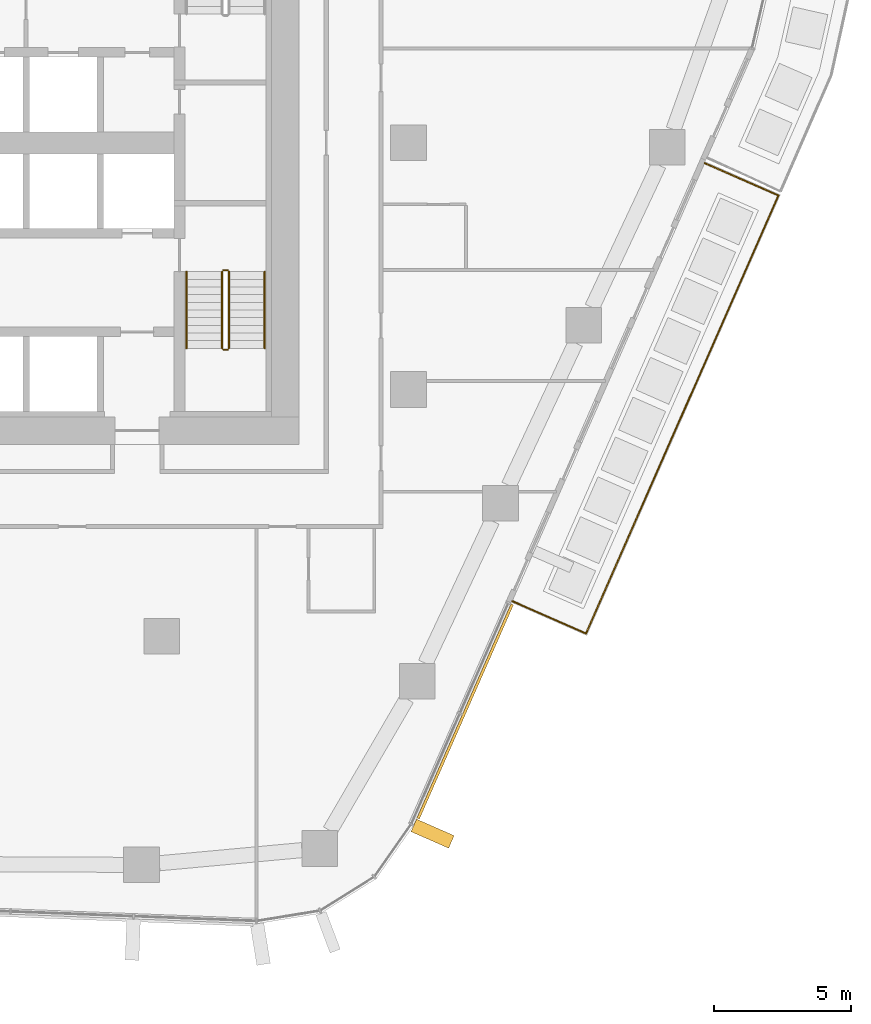
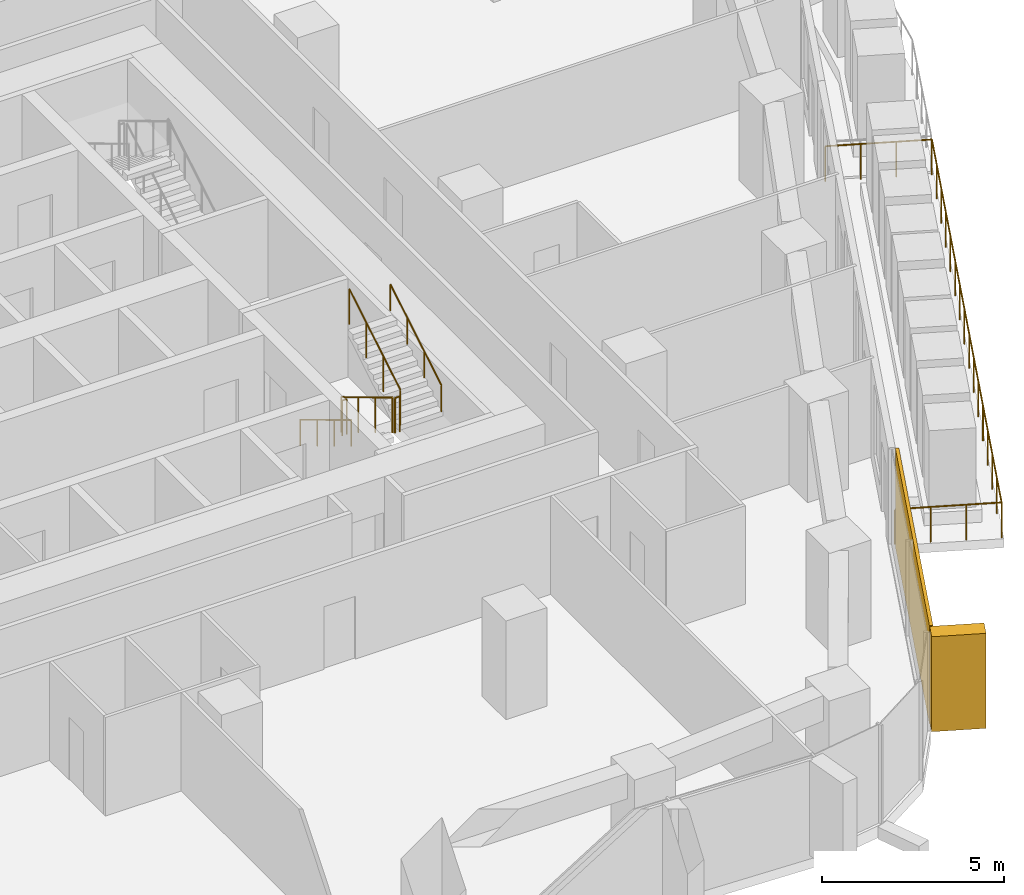
# One storey, part 20 of 23: 7 railings, 2 coverings, 1 element without a shape of its own.
"""IFC4 building model written with IfcOpenShell, lengths in metres."""

from ifc_helpers import new_model, si_unit, direction, frame, origin, origin_2d, place, context, subcontext, project, spatial, rectangle, circle, extrude, material, layer, layer_set, material_profile, profile_set, type_object, element, aggregate, save


model = new_model("IFC4")

# Units and contexts
model_context = context("Model", 3, precision=1e-05, world=origin(), true_north=direction((0.0, 1.0)))
body_context = subcontext(model_context, "Body", "Model", "MODEL_VIEW")
ifc_project = project(units=[si_unit("LENGTHUNIT", "METRE"), si_unit("AREAUNIT", "SQUARE_METRE"), si_unit("VOLUMEUNIT", "CUBIC_METRE"), si_unit("PLANEANGLEUNIT", "RADIAN"), si_unit("MASSUNIT", "GRAM", prefix="KILO")], contexts=[model_context])

# Site, building, storey
site_placement = place(None, origin())
site = spatial("IfcSite", under=ifc_project, at=site_placement, CompositionType="ELEMENT")
building_placement = place(site_placement, origin())
building = spatial("IfcBuilding", under=site, at=building_placement, Name="Dongbaek Canopy Tower", CompositionType="ELEMENT")
storey_placement = place(building_placement, frame((0.0, 0.0, 135.89990234375)))
storey = spatial("IfcBuildingStorey", under=building, at=storey_placement, Name="L30", CompositionType="ELEMENT", Elevation=135.89990234375)

# Railing
ifc_material_1 = material(Name="Stainless steel", Category="steel")
railing_type_1 = type_object("IfcRailingType", Name="Balcony balustrade 1200", PredefinedType="BALUSTRADE", material=ifc_material_1)
railing_1_placement = place(storey_placement, frame((21.7861328125, -16.722900390625, 0.0)))
element("IfcRailing", 1, at=railing_1_placement, inside=storey, type_object=railing_type_1, Name="Balcony guard L30 4", PredefinedType="BALUSTRADE", context=body_context, shape_type="SweptSolid", body=[
    extrude(circle(Radius=0.02392578125, at=origin_2d()), frame((0.0, 0.0, 1.17578125), z_axis=(0.915573195836, -0.402151368351, 0.0), x_axis=(0.402151368351, 0.915573195836, 0.0)), (0.0, 0.0, 1.0), 2.940185546875),
    extrude(circle(Radius=0.02392578125, at=origin_2d()), frame((2.69189453125, -1.182373046875, 1.17578125), z_axis=(0.40217565737, 0.915562526876, 0.0), x_axis=(-0.915562526876, 0.40217565737, 0.0)), (0.0, 0.0, 1.0), 17.45703125),
    extrude(circle(Radius=0.02392578125, at=origin_2d()), frame((9.712646484375, 14.800537109375, 1.17578125), z_axis=(-0.915573195836, 0.402151368351, 0.0), x_axis=(-0.402151368351, -0.915573195836, 0.0)), (0.0, 0.0, 1.0), 2.940185546875),
    extrude(circle(Radius=0.02099609375, at=origin_2d()), origin(), (0.0, 0.0, 1.0), 1.15185546875),
    extrude(circle(Radius=0.02099609375, at=origin_2d()), frame((0.897216796875, -0.39404296875, 0.0)), (0.0, 0.0, 1.0), 1.15185546875),
    extrude(circle(Radius=0.02099609375, at=origin_2d()), frame((1.794677734375, -0.788330078125, 0.0)), (0.0, 0.0, 1.0), 1.15185546875),
    extrude(circle(Radius=0.02099609375, at=origin_2d()), frame((2.69189453125, -1.182373046875, 0.0)), (0.0, 0.0, 1.0), 1.15185546875),
    extrude(circle(Radius=0.02099609375, at=origin_2d()), frame((3.159912109375, -0.116943359375, 0.0)), (0.0, 0.0, 1.0), 1.15185546875),
    extrude(circle(Radius=0.02099609375, at=origin_2d()), frame((3.6279296875, 0.94873046875, 0.0)), (0.0, 0.0, 1.0), 1.15185546875),
    extrude(circle(Radius=0.02099609375, at=origin_2d()), frame((4.095947265625, 2.01416015625, 0.0)), (0.0, 0.0, 1.0), 1.15185546875),
    extrude(circle(Radius=0.02099609375, at=origin_2d()), frame((4.564208984375, 3.079833984375, 0.0)), (0.0, 0.0, 1.0), 1.15185546875),
    extrude(circle(Radius=0.02099609375, at=origin_2d()), frame((5.0322265625, 4.145263671875, 0.0)), (0.0, 0.0, 1.0), 1.15185546875),
    extrude(circle(Radius=0.02099609375, at=origin_2d()), frame((5.500244140625, 5.210693359375, 0.0)), (0.0, 0.0, 1.0), 1.15185546875),
    extrude(circle(Radius=0.02099609375, at=origin_2d()), frame((5.96826171875, 6.2763671875, 0.0)), (0.0, 0.0, 1.0), 1.15185546875),
    extrude(circle(Radius=0.02099609375, at=origin_2d()), frame((6.436279296875, 7.341796875, 0.0)), (0.0, 0.0, 1.0), 1.15185546875),
    extrude(circle(Radius=0.02099609375, at=origin_2d()), frame((6.904296875, 8.407470703125, 0.0)), (0.0, 0.0, 1.0), 1.15185546875),
    extrude(circle(Radius=0.02099609375, at=origin_2d()), frame((7.372314453125, 9.472900390625, 0.0)), (0.0, 0.0, 1.0), 1.15185546875),
    extrude(circle(Radius=0.02099609375, at=origin_2d()), frame((7.84033203125, 10.538330078125, 0.0)), (0.0, 0.0, 1.0), 1.15185546875),
    extrude(circle(Radius=0.02099609375, at=origin_2d()), frame((8.30859375, 11.60400390625, 0.0)), (0.0, 0.0, 1.0), 1.15185546875),
    extrude(circle(Radius=0.02099609375, at=origin_2d()), frame((8.776611328125, 12.66943359375, 0.0)), (0.0, 0.0, 1.0), 1.15185546875),
    extrude(circle(Radius=0.02099609375, at=origin_2d()), frame((9.24462890625, 13.735107421875, 0.0)), (0.0, 0.0, 1.0), 1.15185546875),
    extrude(circle(Radius=0.02099609375, at=origin_2d()), frame((9.712646484375, 14.800537109375, 0.0)), (0.0, 0.0, 1.0), 1.15185546875),
    extrude(circle(Radius=0.02099609375, at=origin_2d()), frame((8.8154296875, 15.194580078125, 0.0)), (0.0, 0.0, 1.0), 1.15185546875),
    extrude(circle(Radius=0.02099609375, at=origin_2d()), frame((7.91796875, 15.5888671875, 0.0)), (0.0, 0.0, 1.0), 1.15185546875),
    extrude(circle(Radius=0.02099609375, at=origin_2d()), frame((7.020751953125, 15.98291015625, 0.0)), (0.0, 0.0, 1.0), 1.15185546875),
])

# Curtain wall, coverings
ifc_material_2 = material(Name="Aluminium 6063-T6 pale anodised", Category="aluminium")
ifc_layer_1 = layer(ifc_material_2, 0.199951171875)
ifc_layer_set_1 = layer_set([ifc_layer_1], Name="CW-1 unitised tower curtain wall")
curtain_wall_type = type_object("IfcCurtainWallType", Name="CW-1 unitised tower curtain wall", PredefinedType="NOTDEFINED", material=ifc_layer_set_1)
curtain_wall_placement = place(storey_placement, origin())
curtain_wall = element("IfcCurtainWall", 2, at=curtain_wall_placement, inside=storey, type_object=curtain_wall_type, Name="CW-1 curtain wall F5.1", PredefinedType="NOTDEFINED")
ifc_material_3 = material(Name="Perforated aluminium 6063-T6 pale metal screen", Category="aluminium")
ifc_layer_2 = layer(ifc_material_3, 0.10009765625)
ifc_layer_set_2 = layer_set([ifc_layer_2], Name="Facet screen FS1 100 pale metal")
covering_type_1 = type_object("IfcCoveringType", Name="Facet screen FS1 100 pale metal", PredefinedType="CLADDING", material=ifc_layer_set_2)
covering_1_placement = place(storey_placement, frame((20.067138671875, -20.750732421875, 0.0), z_axis=(0.0, 0.0, 1.0), x_axis=(0.402176297112, 0.915562245858, 0.0)))
covering_1 = element("IfcCovering", 3, at=covering_1_placement, type_object=covering_type_1, Name="Facet screen L30 F5", PredefinedType="CLADDING", context=body_context, shape_type="SweptSolid", body=[
    extrude(rectangle(XDim=8.538330078125, YDim=0.10009765625, at=origin_2d()), origin(), (0.0, 0.0, 1.0), 3.300048828125),
])
ifc_material_4 = material(Name="Aluminium 6063-T6 pale metal fin", Category="aluminium")
ifc_material_profile = material_profile(ifc_material_4, rectangle(XDim=1.5, YDim=0.5, at=origin_2d()), Name="Fin FN1 500 x 1500 pale metal")
ifc_profile_set = profile_set([ifc_material_profile], Name="Aluminium 6063-T6 pale metal fin")
covering_type_2 = type_object("IfcCoveringType", Name="Fin FN1 500 x 1500 pale metal", PredefinedType="CLADDING", material=ifc_profile_set)
covering_2_placement = place(storey_placement, frame((18.8779296875, -25.208251953125, 0.1201171875), z_axis=(0.0, 0.0, 1.0), x_axis=(0.915562348389, -0.402176063698, 0.0)))
covering_2 = element("IfcCovering", 4, at=covering_2_placement, type_object=covering_type_2, Name="Fin F5.1.1", PredefinedType="CLADDING", context=body_context, shape_type="SweptSolid", body=[
    extrude(rectangle(XDim=1.5, YDim=0.5, at=origin_2d()), origin(), (0.0, 0.0, 1.0), 3.179931640625),
])
aggregate(curtain_wall, [covering_2, covering_1])

# Railings
ifc_material_5 = material(Name="Stainless steel tube and balusters", Category="steel")
railing_type_2 = type_object("IfcRailingType", Name="Stair guard 1200", PredefinedType="GUARDRAIL", material=ifc_material_5)
railing_2_placement = place(storey_placement, frame((11.199951171875, -4.699951171875, 0.168212890625)))
element("IfcRailing", 5, at=railing_2_placement, inside=storey, type_object=railing_type_2, Name="L30 ST-B stair guard 1", PredefinedType="GUARDRAIL", context=body_context, shape_type="SweptSolid", body=[
    extrude(circle(Radius=0.02392578125, at=origin_2d()), frame((0.0, 0.0, 1.17578125), z_axis=(0.0, -0.857242210791, 0.514913383045), x_axis=(1.0, 0.0, 0.0)), (0.0, 0.0, 1.0), 3.266357421875),
    extrude(circle(Radius=0.02099609375, at=origin_2d()), origin(), (0.0, 0.0, 1.0), 1.15185546875),
    extrude(circle(Radius=0.02099609375, at=origin_2d()), frame((0.0, -0.933349609375, 0.560546875)), (0.0, 0.0, 1.0), 1.15185546875),
    extrude(circle(Radius=0.02099609375, at=origin_2d()), frame((0.0, -1.86669921875, 1.121337890625)), (0.0, 0.0, 1.0), 1.15185546875),
    extrude(circle(Radius=0.02099609375, at=origin_2d()), frame((0.0, -2.800048828125, 1.681884765625)), (0.0, 0.0, 1.0), 1.15185546875),
])
railing_3_placement = place(storey_placement, frame((11.25, -7.550048828125, 1.85009765625)))
element("IfcRailing", 6, at=railing_3_placement, inside=storey, type_object=railing_type_2, Name="L30 ST-B stair guard 2", PredefinedType="GUARDRAIL", context=body_context, shape_type="SweptSolid", body=[
    extrude(circle(Radius=0.02392578125, at=origin_2d()), frame((0.0, 0.0, 1.17578125), z_axis=(1.0, 0.0, 0.0), x_axis=(0.0, 1.0, 0.0)), (0.0, 0.0, 1.0), 0.14990234375),
    extrude(circle(Radius=0.02099609375, at=origin_2d()), origin(), (0.0, 0.0, 1.0), 1.15185546875),
    extrude(circle(Radius=0.02099609375, at=origin_2d()), frame((0.14990234375, 0.0, 0.0)), (0.0, 0.0, 1.0), 1.15185546875),
])
railing_4_placement = place(storey_placement, frame((11.449951171875, -7.5, 2.018310546875)))
element("IfcRailing", 7, at=railing_4_placement, inside=storey, type_object=railing_type_2, Name="L30 ST-B stair guard 3", PredefinedType="GUARDRAIL", context=body_context, shape_type="SweptSolid", body=[
    extrude(circle(Radius=0.02392578125, at=origin_2d()), frame((0.0, 0.0, 1.17578125), z_axis=(0.0, 0.857242210791, 0.514913383045), x_axis=(-1.0, 0.0, 0.0)), (0.0, 0.0, 1.0), 3.266357421875),
    extrude(circle(Radius=0.02099609375, at=origin_2d()), origin(), (0.0, 0.0, 1.0), 1.15185546875),
    extrude(circle(Radius=0.02099609375, at=origin_2d()), frame((0.0, 0.933349609375, 0.560546875)), (0.0, 0.0, 1.0), 1.15185546875),
    extrude(circle(Radius=0.02099609375, at=origin_2d()), frame((0.0, 1.86669921875, 1.121337890625)), (0.0, 0.0, 1.0), 1.15185546875),
    extrude(circle(Radius=0.02099609375, at=origin_2d()), frame((0.0, 2.800048828125, 1.681884765625)), (0.0, 0.0, 1.0), 1.15185546875),
])
railing_5_placement = place(storey_placement, frame((11.25, -4.64990234375, 0.0)))
element("IfcRailing", 8, at=railing_5_placement, inside=storey, type_object=railing_type_2, Name="L30 ST-B stair guard 4", PredefinedType="GUARDRAIL", context=body_context, shape_type="SweptSolid", body=[
    extrude(circle(Radius=0.02392578125, at=origin_2d()), frame((0.0, 0.0, 1.17578125), z_axis=(1.0, 0.0, 0.0), x_axis=(0.0, 1.0, 0.0)), (0.0, 0.0, 1.0), 0.14990234375),
    extrude(circle(Radius=0.02099609375, at=origin_2d()), origin(), (0.0, 0.0, 1.0), 1.15185546875),
    extrude(circle(Radius=0.02099609375, at=origin_2d()), frame((0.14990234375, 0.0, 0.0)), (0.0, 0.0, 1.0), 1.15185546875),
])
ifc_material_6 = material(Name="Stainless steel tube", Category="steel")
railing_type_3 = type_object("IfcRailingType", Name="Stair handrail 900", PredefinedType="HANDRAIL", material=ifc_material_6)
railing_6_placement = place(storey_placement, frame((9.89990234375, -4.699951171875, 0.168212890625)))
element("IfcRailing", 9, at=railing_6_placement, inside=storey, type_object=railing_type_3, Name="L30 ST-B stair handrail 1", PredefinedType="HANDRAIL", context=body_context, shape_type="SweptSolid", body=[
    extrude(circle(Radius=0.02392578125, at=origin_2d()), frame((0.0, 0.0, 0.8759765625), z_axis=(0.0, -0.857242210791, 0.514913383045), x_axis=(1.0, 0.0, 0.0)), (0.0, 0.0, 1.0), 3.266357421875),
    extrude(circle(Radius=0.02099609375, at=origin_2d()), origin(), (0.0, 0.0, 1.0), 0.851806640625),
    extrude(circle(Radius=0.02099609375, at=origin_2d()), frame((0.0, -0.933349609375, 0.560546875)), (0.0, 0.0, 1.0), 0.851806640625),
    extrude(circle(Radius=0.02099609375, at=origin_2d()), frame((0.0, -1.86669921875, 1.121337890625)), (0.0, 0.0, 1.0), 0.851806640625),
    extrude(circle(Radius=0.02099609375, at=origin_2d()), frame((0.0, -2.800048828125, 1.681884765625)), (0.0, 0.0, 1.0), 0.851806640625),
])
railing_7_placement = place(storey_placement, frame((12.75, -7.5, 2.018310546875)))
element("IfcRailing", 10, at=railing_7_placement, inside=storey, type_object=railing_type_3, Name="L30 ST-B stair handrail 2", PredefinedType="HANDRAIL", context=body_context, shape_type="SweptSolid", body=[
    extrude(circle(Radius=0.02392578125, at=origin_2d()), frame((0.0, 0.0, 0.8759765625), z_axis=(0.0, 0.857242210791, 0.514913383045), x_axis=(-1.0, 0.0, 0.0)), (0.0, 0.0, 1.0), 3.266357421875),
    extrude(circle(Radius=0.02099609375, at=origin_2d()), origin(), (0.0, 0.0, 1.0), 0.851806640625),
    extrude(circle(Radius=0.02099609375, at=origin_2d()), frame((0.0, 0.933349609375, 0.560546875)), (0.0, 0.0, 1.0), 0.851806640625),
    extrude(circle(Radius=0.02099609375, at=origin_2d()), frame((0.0, 1.86669921875, 1.121337890625)), (0.0, 0.0, 1.0), 0.851806640625),
    extrude(circle(Radius=0.02099609375, at=origin_2d()), frame((0.0, 2.800048828125, 1.681884765625)), (0.0, 0.0, 1.0), 0.851806640625),
])

save(model, "model.ifc")
